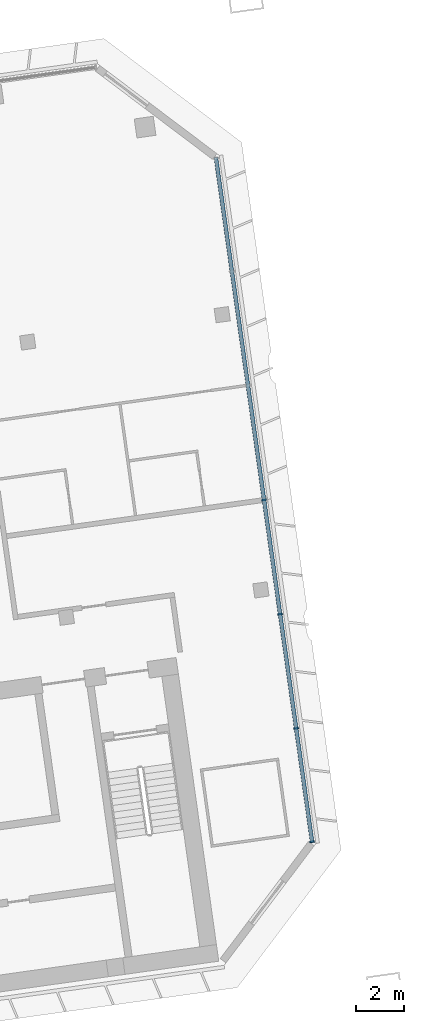
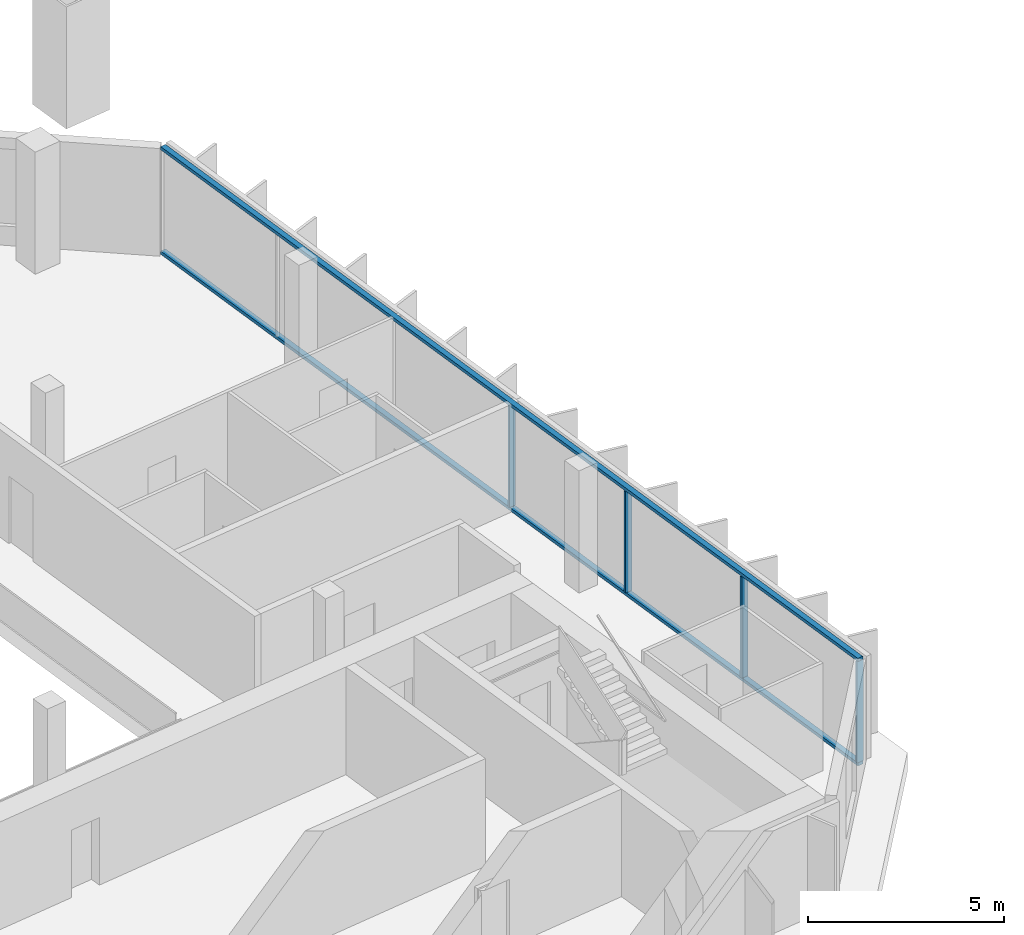
# One storey, part 10 of 25: 6 members, 1 element without a shape of its own.
"""IFC4 building model written with IfcOpenShell, lengths in metres."""

from ifc_helpers import new_model, si_unit, direction, frame, origin, origin_2d, place, context, subcontext, project, spatial, rectangle, extrude, material, material_profile, profile_set, type_object, element, aggregate, save


model = new_model("IFC4")

# Units and contexts
model_context = context("Model", 3, precision=1e-05, world=origin(), true_north=direction((0.0, 1.0)))
body_context = subcontext(model_context, "Body", "Model", "MODEL_VIEW")
ifc_project = project(units=[si_unit("LENGTHUNIT", "METRE"), si_unit("AREAUNIT", "SQUARE_METRE"), si_unit("VOLUMEUNIT", "CUBIC_METRE"), si_unit("PLANEANGLEUNIT", "RADIAN"), si_unit("MASSUNIT", "GRAM", prefix="KILO")], contexts=[model_context])

# Site, building, storey
site_placement = place(None, origin())
site = spatial("IfcSite", under=ifc_project, at=site_placement, CompositionType="ELEMENT")
building_placement = place(site_placement, origin())
building = spatial("IfcBuilding", under=site, at=building_placement, Name="Mirante Cascada Hotel Towers", CompositionType="ELEMENT")
storey_placement = place(building_placement, frame((0.0, 0.0, 172.6)))
storey = spatial("IfcBuildingStorey", under=building, at=storey_placement, Name="L40", CompositionType="ELEMENT", Elevation=172.6)

# Curtain wall, members
ifc_material_1 = material(Name="Aluminium mullion and transom frame with clear laminated glass", Category="aluminium")
curtain_wall_type = type_object("IfcCurtainWallType", Name="End ribbon curtain wall ECW2", PredefinedType="NOTDEFINED", material=ifc_material_1)
curtain_wall_placement = place(storey_placement, origin())
curtain_wall = element("IfcCurtainWall", 1, at=curtain_wall_placement, inside=storey, type_object=curtain_wall_type, Name="Outer end wall T2 L40", PredefinedType="NOTDEFINED")
ifc_material_2 = material(Name="Anodised aluminium extrusion", Category="aluminium")
ifc_material_profile_1 = material_profile(ifc_material_2, rectangle(XDim=0.2, YDim=0.065, at=origin_2d()), Name="ECW2 MULLION 65x200")
ifc_profile_set_1 = profile_set([ifc_material_profile_1], Name="Anodised aluminium extrusion")
member_type_1 = type_object("IfcMemberType", Name="ECW2 mullion 65x200", PredefinedType="MULLION", material=ifc_profile_set_1)
member_1_placement = place(storey_placement, frame((94.2432, -7.5181, 0.1), z_axis=(0.0, 0.0, 1.0), x_axis=(-0.9902681, -0.1391731, 0.0)))
member_1 = element("IfcMember", 2, at=member_1_placement, type_object=member_type_1, Name="ECW2 mullion 1", PredefinedType="MULLION", context=body_context, shape_type="SweptSolid", body=[
    extrude(rectangle(XDim=0.2, YDim=0.065, at=origin_2d()), origin(), (0.0, 0.0, 1.0), 3.15),
])
member_2_placement = place(storey_placement, frame((93.5779, -2.7845, 0.1), z_axis=(0.0, 0.0, 1.0), x_axis=(-0.9902681, -0.1391731, 0.0)))
member_2 = element("IfcMember", 3, at=member_2_placement, type_object=member_type_1, Name="ECW2 mullion 2", PredefinedType="MULLION", context=body_context, shape_type="SweptSolid", body=[
    extrude(rectangle(XDim=0.2, YDim=0.065, at=origin_2d()), origin(), (0.0, 0.0, 1.0), 3.15),
])
member_3_placement = place(storey_placement, frame((92.9081, 1.9812, 0.1), z_axis=(0.0, 0.0, 1.0), x_axis=(-0.9902681, -0.1391731, 0.0)))
member_3 = element("IfcMember", 4, at=member_3_placement, type_object=member_type_1, Name="ECW2 mullion 3", PredefinedType="MULLION", context=body_context, shape_type="SweptSolid", body=[
    extrude(rectangle(XDim=0.2, YDim=0.065, at=origin_2d()), origin(), (0.0, 0.0, 1.0), 3.15),
])
member_4_placement = place(storey_placement, frame((92.2383, 6.747, 0.1), z_axis=(0.0, 0.0, 1.0), x_axis=(-0.9902681, -0.1391731, 0.0)))
member_4 = element("IfcMember", 5, at=member_4_placement, type_object=member_type_1, Name="ECW2 mullion 4", PredefinedType="MULLION", context=body_context, shape_type="SweptSolid", body=[
    extrude(rectangle(XDim=0.2, YDim=0.065, at=origin_2d()), origin(), (0.0, 0.0, 1.0), 3.15),
])
ifc_material_3 = material(Name="Anodised aluminium extrusion", Category="aluminium")
ifc_material_profile_2 = material_profile(ifc_material_3, rectangle(XDim=0.16, YDim=0.1, at=origin_2d()), Name="ECW2 TRANSOM 100x160")
ifc_profile_set_2 = profile_set([ifc_material_profile_2], Name="Anodised aluminium extrusion")
member_type_2 = type_object("IfcMemberType", Name="ECW2 transom 100x160", PredefinedType="USERDEFINED", material=ifc_profile_set_2)
member_5_placement = place(storey_placement, frame((94.2477, -7.5503, 0.05), z_axis=(-0.1391723, 0.9902682, 0.0), x_axis=(-0.9902682, -0.1391723, 0.0)))
member_5 = element("IfcMember", 6, at=member_5_placement, type_object=member_type_2, Name="ECW2 sill transom", ObjectType="TRANSOM", PredefinedType="USERDEFINED", context=body_context, shape_type="SweptSolid", body=[
    extrude(rectangle(XDim=0.16, YDim=0.1, at=origin_2d()), origin(), (0.0, 0.0, 1.0), 28.8757),
])
member_6_placement = place(storey_placement, frame((94.2477, -7.5503, 3.3), z_axis=(-0.1391723, 0.9902682, 0.0), x_axis=(-0.9902682, -0.1391723, 0.0)))
member_6 = element("IfcMember", 7, at=member_6_placement, type_object=member_type_2, Name="ECW2 head transom", ObjectType="TRANSOM", PredefinedType="USERDEFINED", context=body_context, shape_type="SweptSolid", body=[
    extrude(rectangle(XDim=0.16, YDim=0.1, at=origin_2d()), origin(), (0.0, 0.0, 1.0), 28.8757),
])
aggregate(curtain_wall, [member_5, member_6, member_1, member_2, member_3, member_4])

save(model, "model.ifc")
